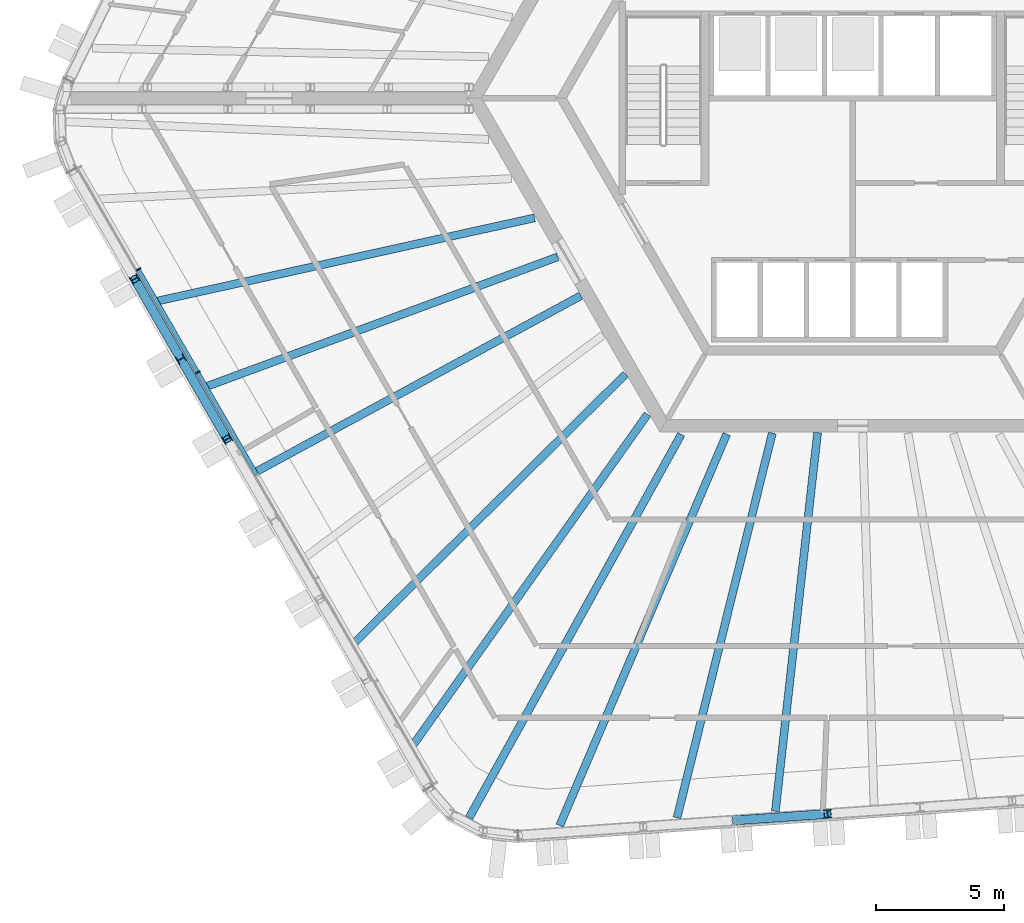
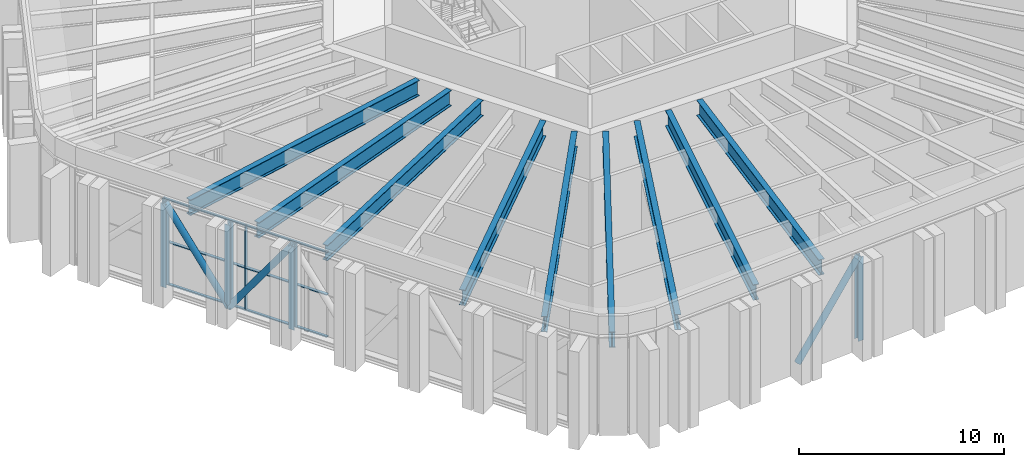
# One storey, part 2 of 24: 15 members, 9 beams, 1 element without a shape of its own.
"""IFC4 building model written with IfcOpenShell, lengths in metres."""

from ifc_helpers import new_model, si_unit, direction, frame, origin, origin_2d, place, context, subcontext, project, spatial, rectangle, hollow_circle, i_section, extrude, material, material_profile, profile_set, type_object, element, aggregate, save


model = new_model("IFC4")

# Units and contexts
model_context = context("Model", 3, precision=1e-05, world=origin(), true_north=direction((0.0, 1.0)))
body_context = subcontext(model_context, "Body", "Model", "MODEL_VIEW")
ifc_project = project(units=[si_unit("LENGTHUNIT", "METRE"), si_unit("AREAUNIT", "SQUARE_METRE"), si_unit("VOLUMEUNIT", "CUBIC_METRE"), si_unit("PLANEANGLEUNIT", "RADIAN"), si_unit("MASSUNIT", "GRAM", prefix="KILO")], contexts=[model_context])

# Site, building, storey
site_placement = place(None, origin())
site = spatial("IfcSite", under=ifc_project, at=site_placement, CompositionType="ELEMENT")
building_placement = place(site_placement, origin())
building = spatial("IfcBuilding", under=site, at=building_placement, Name="Tarnside Tower", CompositionType="ELEMENT")
storey_placement = place(building_placement, frame((0.0, 0.0, 250.199951171875)))
storey = spatial("IfcBuildingStorey", under=building, at=storey_placement, Name="L60", CompositionType="ELEMENT", Elevation=250.199951171875)

# Beams
ifc_material_1 = material(Name="Steel S355", Category="steel")
ifc_material_profile_1 = material_profile(ifc_material_1, i_section(OverallWidth=0.3076171875, OverallDepth=0.926513671875, WebThickness=0.01953125, FlangeThickness=0.031982421875, FilletRadius=0.01904296875, at=origin_2d()), Name="UB 914x305x289")
ifc_profile_set_1 = profile_set([ifc_material_profile_1], Name="Steel S355")
beam_type = type_object("IfcBeamType", Name="Floor beam UB 914x305x289", PredefinedType="BEAM", material=ifc_profile_set_1)
beam_1_placement = place(storey_placement, frame((-27.143798828125, -7.914306640625, 5.036865234375), z_axis=(0.976531369394, 0.215375218142, 0.0), x_axis=(-0.215375218142, 0.976531369394, 0.0)))
element("IfcBeam", 1, at=beam_1_placement, inside=storey, type_object=beam_type, Name="Floor beam F3.02", PredefinedType="BEAM", context=body_context, shape_type="SweptSolid", body=[
    extrude(i_section(OverallWidth=0.3076171875, OverallDepth=0.926513671875, WebThickness=0.01953125, FlangeThickness=0.031982421875, FilletRadius=0.01904296875, at=origin_2d()), origin(), (0.0, 0.0, 1.0), 15.111572265625),
])
beam_2_placement = place(storey_placement, frame((-25.236572265625, -11.25341796875, 5.036865234375), z_axis=(0.938136444068, 0.346265811641, 0.0), x_axis=(-0.346265811641, 0.938136444068, 0.0)))
element("IfcBeam", 2, at=beam_2_placement, inside=storey, type_object=beam_type, Name="Floor beam F3.03", PredefinedType="BEAM", context=body_context, shape_type="SweptSolid", body=[
    extrude(i_section(OverallWidth=0.3076171875, OverallDepth=0.926513671875, WebThickness=0.01953125, FlangeThickness=0.031982421875, FilletRadius=0.01904296875, at=origin_2d()), origin(), (0.0, 0.0, 1.0), 14.654052734375),
])
beam_3_placement = place(storey_placement, frame((-23.328125, -14.597412109375, 5.036865234375), z_axis=(0.879147828434, 0.476549153561, 0.0), x_axis=(-0.476549153561, 0.879147828434, 0.0)))
element("IfcBeam", 3, at=beam_3_placement, inside=storey, type_object=beam_type, Name="Floor beam F3.04", PredefinedType="BEAM", context=body_context, shape_type="SweptSolid", body=[
    extrude(i_section(OverallWidth=0.3076171875, OverallDepth=0.926513671875, WebThickness=0.01953125, FlangeThickness=0.031982421875, FilletRadius=0.01904296875, at=origin_2d()), origin(), (0.0, 0.0, 1.0), 14.486572265625),
])
beam_4_placement = place(storey_placement, frame((-19.460693359375, -21.258544921875, 5.036865234375), z_axis=(0.710539613905, 0.703657201392, 0.0), x_axis=(-0.703657201392, 0.710539613905, 0.0)))
element("IfcBeam", 4, at=beam_4_placement, inside=storey, type_object=beam_type, Name="Floor beam F3.06", PredefinedType="BEAM", context=body_context, shape_type="SweptSolid", body=[
    extrude(i_section(OverallWidth=0.3076171875, OverallDepth=0.926513671875, WebThickness=0.01953125, FlangeThickness=0.031982421875, FilletRadius=0.01904296875, at=origin_2d()), origin(), (0.0, 0.0, 1.0), 14.93408203125),
])
beam_5_placement = place(storey_placement, frame((-17.13818359375, -25.21337890625, 5.036865234375), z_axis=(0.578234402084, 0.815870685983, 0.0), x_axis=(-0.815870685983, 0.578234402084, 0.0)))
element("IfcBeam", 5, at=beam_5_placement, inside=storey, type_object=beam_type, Name="Floor beam F3.07", PredefinedType="BEAM", context=body_context, shape_type="SweptSolid", body=[
    extrude(i_section(OverallWidth=0.3076171875, OverallDepth=0.926513671875, WebThickness=0.01953125, FlangeThickness=0.031982421875, FilletRadius=0.01904296875, at=origin_2d()), origin(), (0.0, 0.0, 1.0), 15.820556640625),
])
beam_6_placement = place(storey_placement, frame((-14.930908203125, -28.006103515625, 5.036865234375), z_axis=(0.484106640433, 0.875009006062, 0.0), x_axis=(-0.875009006062, 0.484106640433, 0.0)))
element("IfcBeam", 6, at=beam_6_placement, inside=storey, type_object=beam_type, Name="Floor beam C3", PredefinedType="BEAM", context=body_context, shape_type="SweptSolid", body=[
    extrude(i_section(OverallWidth=0.3076171875, OverallDepth=0.926513671875, WebThickness=0.01953125, FlangeThickness=0.031982421875, FilletRadius=0.01904296875, at=origin_2d()), origin(), (0.0, 0.0, 1.0), 17.0498046875),
])
beam_7_placement = place(storey_placement, frame((-11.40869140625, -28.315185546875, 5.036865234375), z_axis=(0.39240378512, 0.919793057934, 0.0), x_axis=(-0.919793057934, 0.39240378512, 0.0)))
element("IfcBeam", 7, at=beam_7_placement, inside=storey, type_object=beam_type, Name="Floor beam F4.01", PredefinedType="BEAM", context=body_context, shape_type="SweptSolid", body=[
    extrude(i_section(OverallWidth=0.3076171875, OverallDepth=0.926513671875, WebThickness=0.01953125, FlangeThickness=0.031982421875, FilletRadius=0.01904296875, at=origin_2d()), origin(), (0.0, 0.0, 1.0), 16.57080078125),
])
beam_8_placement = place(storey_placement, frame((-6.842041015625, -28.010009765625, 5.036865234375), z_axis=(0.240605955314, 0.97062287953, 0.0), x_axis=(-0.97062287953, 0.240605955314, 0.0)))
element("IfcBeam", 8, at=beam_8_placement, inside=storey, type_object=beam_type, Name="Floor beam F4.02", PredefinedType="BEAM", context=body_context, shape_type="SweptSolid", body=[
    extrude(i_section(OverallWidth=0.3076171875, OverallDepth=0.926513671875, WebThickness=0.01953125, FlangeThickness=0.031982421875, FilletRadius=0.01904296875, at=origin_2d()), origin(), (0.0, 0.0, 1.0), 15.42431640625),
])
beam_9_placement = place(storey_placement, frame((-3.01220703125, -27.760009765625, 5.036865234375), z_axis=(0.11075131031, 0.993848151009, 0.0), x_axis=(-0.993848151009, 0.11075131031, 0.0)))
element("IfcBeam", 9, at=beam_9_placement, inside=storey, type_object=beam_type, Name="Floor beam F4.03", PredefinedType="BEAM", context=body_context, shape_type="SweptSolid", body=[
    extrude(i_section(OverallWidth=0.3076171875, OverallDepth=0.926513671875, WebThickness=0.01953125, FlangeThickness=0.031982421875, FilletRadius=0.01904296875, at=origin_2d()), origin(), (0.0, 0.0, 1.0), 14.831298828125),
])

# Curtain wall, members
ifc_material_2 = material(Name="Sky lobby glazing wall", Category="glass")
curtain_wall_type = type_object("IfcCurtainWallType", Name="Sky lobby glazing wall", PredefinedType="NOTDEFINED", material=ifc_material_2)
curtain_wall_placement = place(storey_placement, origin())
curtain_wall = element("IfcCurtainWall", 10, at=curtain_wall_placement, inside=storey, type_object=curtain_wall_type, Name="Sky lobby glazing L60 F3", PredefinedType="NOTDEFINED")
ifc_material_3 = material(Name="Aluminium alloy 6063", Category="aluminium")
ifc_material_profile_2 = material_profile(ifc_material_3, rectangle(XDim=0.199951171875, YDim=0.06005859375, at=origin_2d()), Name="Sky lobby glazing mullion 60 x 200")
ifc_profile_set_2 = profile_set([ifc_material_profile_2], Name="Aluminium alloy 6063")
member_type_1 = type_object("IfcMemberType", Name="Sky lobby glazing mullion 60 x 200", PredefinedType="MULLION", material=ifc_profile_set_2)
member_1_placement = place(storey_placement, frame((-27.815185546875, -6.665771484375, 0.0), z_axis=(0.0, 0.0, 1.0), x_axis=(0.866025403784, 0.5, 0.0)))
member_1 = element("IfcMember", 11, at=member_1_placement, type_object=member_type_1, Name="CW4 mullion 2", PredefinedType="MULLION", context=body_context, shape_type="SweptSolid", body=[
    extrude(rectangle(XDim=0.199951171875, YDim=0.06005859375, at=origin_2d()), origin(), (0.0, 0.0, 1.0), 5.0810546875),
])
member_2_placement = place(storey_placement, frame((-25.501953125, -10.67236328125, 0.0), z_axis=(0.0, 0.0, 1.0), x_axis=(0.866025403784, 0.5, 0.0)))
member_2 = element("IfcMember", 12, at=member_2_placement, type_object=member_type_1, Name="CW4 mullion 3", PredefinedType="MULLION", context=body_context, shape_type="SweptSolid", body=[
    extrude(rectangle(XDim=0.199951171875, YDim=0.06005859375, at=origin_2d()), origin(), (0.0, 0.0, 1.0), 5.0810546875),
])
ifc_material_profile_3 = material_profile(ifc_material_3, rectangle(XDim=0.159912109375, YDim=0.06005859375, at=origin_2d()), Name="Sky lobby glazing transom 60 x 160")
ifc_profile_set_3 = profile_set([ifc_material_profile_3], Name="Aluminium alloy 6063")
member_type_2 = type_object("IfcMemberType", Name="Sky lobby glazing transom 60 x 160", PredefinedType="USERDEFINED", material=ifc_profile_set_3)
member_3_placement = place(storey_placement, frame((-27.800048828125, -6.69189453125, 0.030029296875), z_axis=(0.500003221507, -0.866023543838, 0.0), x_axis=(0.866023543838, 0.500003221507, 0.0)))
member_3 = element("IfcMember", 13, at=member_3_placement, type_object=member_type_2, Name="CW4 transom 2.1", ObjectType="TRANSOM", PredefinedType="USERDEFINED", context=body_context, shape_type="SweptSolid", body=[
    extrude(rectangle(XDim=0.159912109375, YDim=0.06005859375, at=origin_2d()), origin(), (0.0, 0.0, 1.0), 4.56640625),
])
member_4_placement = place(storey_placement, frame((-27.800048828125, -6.69189453125, 2.54052734375), z_axis=(0.500003221507, -0.866023543838, 0.0), x_axis=(0.866023543838, 0.500003221507, 0.0)))
member_4 = element("IfcMember", 14, at=member_4_placement, type_object=member_type_2, Name="CW4 transom 2.2", ObjectType="TRANSOM", PredefinedType="USERDEFINED", context=body_context, shape_type="SweptSolid", body=[
    extrude(rectangle(XDim=0.159912109375, YDim=0.06005859375, at=origin_2d()), origin(), (0.0, 0.0, 1.0), 4.56640625),
])
member_5_placement = place(storey_placement, frame((-27.800048828125, -6.69189453125, 5.051025390625), z_axis=(0.500003221507, -0.866023543838, 0.0), x_axis=(0.866023543838, 0.500003221507, 0.0)))
member_5 = element("IfcMember", 15, at=member_5_placement, type_object=member_type_2, Name="CW4 transom 2.3", ObjectType="TRANSOM", PredefinedType="USERDEFINED", context=body_context, shape_type="SweptSolid", body=[
    extrude(rectangle(XDim=0.159912109375, YDim=0.06005859375, at=origin_2d()), origin(), (0.0, 0.0, 1.0), 4.56640625),
])
member_6_placement = place(storey_placement, frame((-25.48681640625, -10.698486328125, 0.030029296875), z_axis=(0.499986272769, -0.86603332906, 0.0), x_axis=(0.86603332906, 0.499986272769, 0.0)))
member_6 = element("IfcMember", 16, at=member_6_placement, type_object=member_type_2, Name="CW4 transom 3.1", ObjectType="TRANSOM", PredefinedType="USERDEFINED", context=body_context, shape_type="SweptSolid", body=[
    extrude(rectangle(XDim=0.159912109375, YDim=0.06005859375, at=origin_2d()), origin(), (0.0, 0.0, 1.0), 4.566162109375),
])
member_7_placement = place(storey_placement, frame((-25.48681640625, -10.698486328125, 2.54052734375), z_axis=(0.499986272769, -0.86603332906, 0.0), x_axis=(0.86603332906, 0.499986272769, 0.0)))
member_7 = element("IfcMember", 17, at=member_7_placement, type_object=member_type_2, Name="CW4 transom 3.2", ObjectType="TRANSOM", PredefinedType="USERDEFINED", context=body_context, shape_type="SweptSolid", body=[
    extrude(rectangle(XDim=0.159912109375, YDim=0.06005859375, at=origin_2d()), origin(), (0.0, 0.0, 1.0), 4.566162109375),
])
member_8_placement = place(storey_placement, frame((-25.48681640625, -10.698486328125, 5.051025390625), z_axis=(0.499986272769, -0.86603332906, 0.0), x_axis=(0.86603332906, 0.499986272769, 0.0)))
member_8 = element("IfcMember", 18, at=member_8_placement, type_object=member_type_2, Name="CW4 transom 3.3", ObjectType="TRANSOM", PredefinedType="USERDEFINED", context=body_context, shape_type="SweptSolid", body=[
    extrude(rectangle(XDim=0.159912109375, YDim=0.06005859375, at=origin_2d()), origin(), (0.0, 0.0, 1.0), 4.566162109375),
])
aggregate(curtain_wall, [member_1, member_2, member_3, member_4, member_5, member_6, member_7, member_8])

# Members
ifc_material_profile_4 = material_profile(ifc_material_1, hollow_circle(Radius=0.177734375, WallThickness=0.01611328125, at=origin_2d()), Name="CHS 355.6x16")
ifc_profile_set_4 = profile_set([ifc_material_profile_4], Name="Steel S355")
member_type_3 = type_object("IfcMemberType", Name="Truss diagonal CHS 355.6x16", PredefinedType="BRACE", material=ifc_profile_set_4)
for number, where, z_axis, x_axis, name in (
    (19, (-27.95166015625, -7.036376953125, 5.0810546875), (0.2931395064, -0.507716193779, -0.810119433394), (0.866018442252, 0.500012057535, 0.0), "Belt truss diagonal L60 22"),
    (20, (-26.151611328125, -10.154052734375, 0.1064453125), (0.2931395064, -0.507716193779, 0.810119433394), (0.866018442252, 0.500012057535, 0.0), "Belt truss diagonal L60 23"),
    (21, (-4.568115234375, -28.112060546875, 0.1064453125), (0.584844537711, 0.040871528536, 0.810115044215), (-0.069714402923, 0.997566991247, 0.0), "Belt truss diagonal L60 33"),
):
    element("IfcMember", number, at=place(storey_placement, frame(where, z_axis=z_axis, x_axis=x_axis)), inside=storey, type_object=member_type_3, Name=name, PredefinedType="BRACE", context=body_context, shape_type="SweptSolid", body=[
        extrude(hollow_circle(Radius=0.177734375, WallThickness=0.01611328125, at=origin_2d()), origin(), (0.0, 0.0, 1.0), 6.140625),
    ])
ifc_material_profile_5 = material_profile(ifc_material_1, i_section(OverallWidth=0.311279296875, OverallDepth=0.3271484375, WebThickness=0.015869140625, FlangeThickness=0.02490234375, FilletRadius=0.01513671875, at=origin_2d()), Name="UC 305x305x158")
ifc_profile_set_5 = profile_set([ifc_material_profile_5], Name="Steel S355")
member_type_4 = type_object("IfcMemberType", Name="Truss post UC 305x305x158", PredefinedType="POST", material=ifc_profile_set_5)
for number, where, z_axis, x_axis, name in (
    (22, (-27.95166015625, -7.036376953125, 0.1064453125), (0.0, 0.0, 1.0), (0.5, -0.866025403784, 0.0), "Belt truss post L60 22"),
    (23, (-26.151611328125, -10.154052734375, 0.1064453125), (0.0, 0.0, 1.0), (0.5, -0.866025403784, 0.0), "Belt truss post L60 23"),
    (24, (-24.3515625, -13.271728515625, 0.1064453125), (0.0, 0.0, 1.0), (0.5, -0.866025403784, 0.0), "Belt truss post L60 24"),
    (25, (-0.976806640625, -27.861083984375, 0.1064453125), (0.0, 0.0, 1.0), (0.99756405026, 0.069756473744, 0.0), "Belt truss post L60 34"),
):
    element("IfcMember", number, at=place(storey_placement, frame(where, z_axis=z_axis, x_axis=x_axis)), inside=storey, type_object=member_type_4, Name=name, PredefinedType="POST", context=body_context, shape_type="SweptSolid", body=[
        extrude(i_section(OverallWidth=0.311279296875, OverallDepth=0.3271484375, WebThickness=0.015869140625, FlangeThickness=0.02490234375, FilletRadius=0.01513671875, at=origin_2d()), origin(), (0.0, 0.0, 1.0), 4.974609375),
    ])

save(model, "model.ifc")
